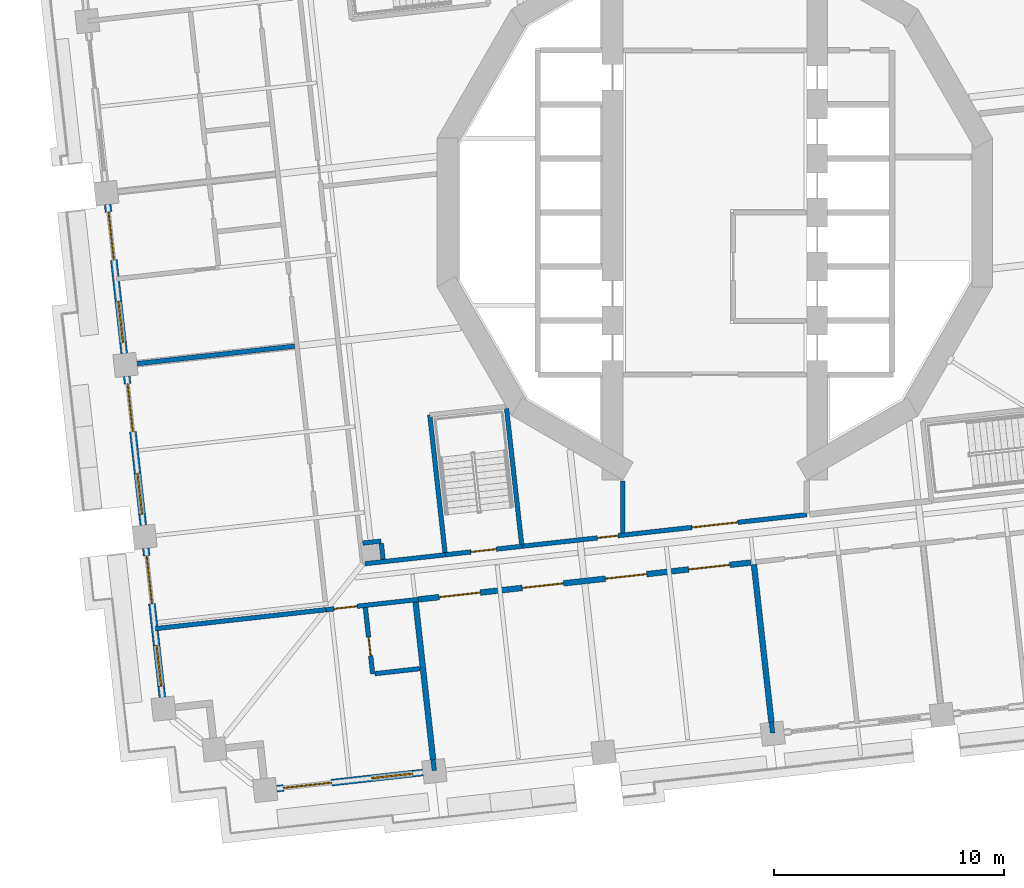
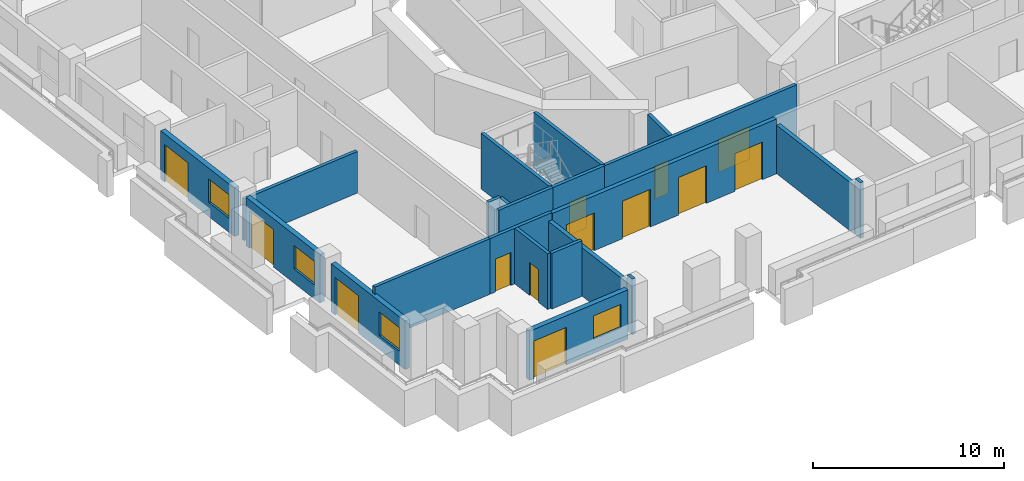
# One storey, part 4 of 18: 22 walls, 13 doors, 4 windows, 17 openings.
"""IFC4 building model written with IfcOpenShell, lengths in metres."""

from ifc_helpers import new_model, si_unit, direction, frame, frame_2d, origin, place, context, subcontext, project, spatial, rectangle, extrude, material, layer, layer_set, type_object, element, fill, save


model = new_model("IFC4")

# Units and contexts
model_context = context("Model", 3, precision=1e-05, world=origin(), true_north=direction((0.0, 1.0)))
body_context = subcontext(model_context, "Body", "Model", "MODEL_VIEW")
ifc_project = project(units=[si_unit("LENGTHUNIT", "METRE"), si_unit("AREAUNIT", "SQUARE_METRE"), si_unit("VOLUMEUNIT", "CUBIC_METRE"), si_unit("PLANEANGLEUNIT", "RADIAN"), si_unit("MASSUNIT", "GRAM", prefix="KILO")], contexts=[model_context])

# Site, building, storey
site_placement = place(None, origin())
site = spatial("IfcSite", under=ifc_project, at=site_placement, CompositionType="ELEMENT")
building_placement = place(site_placement, origin())
building = spatial("IfcBuilding", under=site, at=building_placement, Name="Cantera Rosa Tower", CompositionType="ELEMENT")
storey_placement = place(building_placement, frame((0.0, 0.0, 76.699951171875)))
storey = spatial("IfcBuildingStorey", under=building, at=storey_placement, Name="L16", CompositionType="ELEMENT", Elevation=76.699951171875)

# Wall, opening, door
ifc_material_1 = material(Name="Gypsum board partition")
ifc_layer_1 = layer(ifc_material_1, 0.199951171875)
ifc_layer_set_1 = layer_set([ifc_layer_1], Name="CORRIDOR WALL 200 H3550")
wall_type_1 = type_object("IfcWallType", Name="CORRIDOR WALL 200 H3550", PredefinedType="PARTITIONING", material=ifc_layer_set_1)
wall_1_placement = place(storey_placement, frame((-16.898193359375, -17.26953125, 0.0), z_axis=(0.0, 0.0, 1.0), x_axis=(0.993894825106, 0.110331666476, 0.0)))
wall_1 = element("IfcWall", 1, at=wall_1_placement, inside=storey, type_object=wall_type_1, Name="CORRIDOR WALL L16-014", PredefinedType="PARTITIONING", context=body_context, shape_type="SweptSolid", body=[
    extrude(rectangle(XDim=4.025146484375, YDim=0.199951171875, at=frame_2d((2.0126953125, 0.0))), origin(), (0.0, 0.0, 1.0), 3.550048828125),
])
opening_1_placement = place(wall_1_placement, frame((0.35009765625, 0.0, 0.0)))
opening_1 = element("IfcOpeningElement", 2, at=opening_1_placement, cuts=wall_1, Name="Opening L16-041", PredefinedType="OPENING", context=body_context, shape_type="SweptSolid", body=[
    extrude(rectangle(XDim=1.0, YDim=2.10009765625, at=frame_2d((0.5, 1.050048828125))), frame((0.0, 0.10986328125, 0.0), z_axis=(0.0, -1.0, 0.0), x_axis=(1.0, 0.0, 0.0)), (0.0, 0.0, 1.0), 0.219970703125),
])
ifc_material_2 = material(Name="Timber door leaf", Category="wood")
door_type_1 = type_object("IfcDoorType", Name="ENTRANCE DOOR 1000x2100", OperationType="NOTDEFINED", PredefinedType="DOOR", material=ifc_material_2)
door_1_placement = place(opening_1_placement, origin())
door_1 = element("IfcDoor", 3, at=door_1_placement, inside=storey, type_object=door_type_1, Name="DOOR L16-041", OperationType="NOTDEFINED", OverallHeight=2.10009765625, OverallWidth=1.0, PredefinedType="DOOR", context=body_context, shape_type="SweptSolid", body=[
    extrude(rectangle(XDim=1.0, YDim=2.10009765625, at=frame_2d((0.5, 1.050048828125))), frame((0.0, 0.02490234375, 0.0), z_axis=(0.0, -1.0, 0.0), x_axis=(1.0, 0.0, 0.0)), (0.0, 0.0, 1.0), 0.050048828125),
])
fill(opening_1, door_1)

# Wall
wall_2_placement = place(storey_placement, frame((-15.208251953125, -15.27099609375, 0.0), z_axis=(0.0, 0.0, 1.0), x_axis=(0.993893064489, 0.110347525396, 0.0)))
element("IfcWall", 4, at=wall_2_placement, inside=storey, type_object=wall_type_1, Name="CORRIDOR WALL L16-020", PredefinedType="PARTITIONING", context=body_context, shape_type="SweptSolid", body=[
    extrude(rectangle(XDim=3.509033203125, YDim=0.199951171875, at=frame_2d((1.75439453125, 0.0))), origin(), (0.0, 0.0, 1.0), 3.550048828125),
])

# Wall, openings, doors
wall_3_placement = place(storey_placement, frame((-8.391357421875, -14.51416015625, 0.0), z_axis=(0.0, 0.0, 1.0), x_axis=(0.993897577722, 0.110306867408, 0.0)))
wall_3 = element("IfcWall", 5, at=wall_3_placement, inside=storey, type_object=wall_type_1, Name="CORRIDOR WALL L16-036", PredefinedType="PARTITIONING", context=body_context, shape_type="SweptSolid", body=[
    extrude(rectangle(XDim=12.467529296875, YDim=0.199951171875, at=frame_2d((6.23388671875, 0.0))), origin(), (0.0, 0.0, 1.0), 3.550048828125),
])
opening_2_placement = place(wall_3_placement, frame((3.305419921875, 0.0, 0.0)))
opening_2 = element("IfcOpeningElement", 6, at=opening_2_placement, cuts=wall_3, Name="Opening L16-008", PredefinedType="OPENING", context=body_context, shape_type="SweptSolid", body=[
    extrude(rectangle(XDim=0.89990234375, YDim=2.10009765625, at=frame_2d((0.449951171875, 1.050048828125))), frame((0.0, 0.10986328125, 0.0), z_axis=(0.0, -1.0, 0.0), x_axis=(1.0, 0.0, 0.0)), (0.0, 0.0, 1.0), 0.219970703125),
])
opening_3_placement = place(wall_3_placement, frame((7.44287109375, 0.0, 0.0)))
opening_3 = element("IfcOpeningElement", 7, at=opening_3_placement, cuts=wall_3, Name="Opening L16-012", PredefinedType="OPENING", context=body_context, shape_type="SweptSolid", body=[
    extrude(rectangle(XDim=2.0, YDim=2.10009765625, at=frame_2d((1.0, 1.050048828125))), frame((0.0, 0.10986328125, 0.0), z_axis=(0.0, -1.0, 0.0), x_axis=(1.0, 0.0, 0.0)), (0.0, 0.0, 1.0), 0.219970703125),
])
ifc_material_3 = material(Name="Steel S355J2 (EN 10025-2)", Category="steel")
door_type_2 = type_object("IfcDoorType", Name="LOBBY SCREEN DOOR 2000x2100", OperationType="NOTDEFINED", PredefinedType="DOOR", material=ifc_material_3)
door_2_placement = place(opening_3_placement, origin())
door_2 = element("IfcDoor", 8, at=door_2_placement, inside=storey, type_object=door_type_2, Name="DOOR L16-012", OperationType="NOTDEFINED", OverallHeight=2.10009765625, OverallWidth=2.0, PredefinedType="DOOR", context=body_context, shape_type="SweptSolid", body=[
    extrude(rectangle(XDim=2.0, YDim=2.10009765625, at=frame_2d((1.0, 1.050048828125))), frame((0.0, 0.02490234375, 0.0), z_axis=(0.0, -1.0, 0.0), x_axis=(1.0, 0.0, 0.0)), (0.0, 0.0, 1.0), 0.050048828125),
])
fill(opening_3, door_2)
ifc_material_4 = material(Name="Timber door leaf", Category="wood")
door_type_3 = type_object("IfcDoorType", Name="SERVICE DOOR 900x2100", OperationType="NOTDEFINED", PredefinedType="DOOR", material=ifc_material_4)
door_3_placement = place(opening_2_placement, origin())
door_3 = element("IfcDoor", 9, at=door_3_placement, inside=storey, type_object=door_type_3, Name="DOOR L16-008", OperationType="NOTDEFINED", OverallHeight=2.10009765625, OverallWidth=0.89990234375, PredefinedType="DOOR", context=body_context, shape_type="SweptSolid", body=[
    extrude(rectangle(XDim=0.89990234375, YDim=2.10009765625, at=frame_2d((0.449951171875, 1.050048828125))), frame((0.0, 0.02490234375, 0.0), z_axis=(0.0, -1.0, 0.0), x_axis=(1.0, 0.0, 0.0)), (0.0, 0.0, 1.0), 0.050048828125),
])
fill(opening_2, door_3)

# Wall
wall_4_placement = place(storey_placement, frame((-4.0, -11.667236328125, 0.0), z_axis=(0.0, 0.0, 1.0), x_axis=(0.0, -1.0, 0.0)))
element("IfcWall", 10, at=wall_4_placement, inside=storey, type_object=wall_type_1, Name="CORRIDOR WALL L16-046", PredefinedType="PARTITIONING", context=body_context, shape_type="SweptSolid", body=[
    extrude(rectangle(XDim=2.259765625, YDim=0.199951171875, at=frame_2d((1.1298828125, 0.0))), origin(), (0.0, 0.0, 1.0), 3.550048828125),
])

# Wall, openings, window, door
ifc_material_5 = material(Name="Hollow clay masonry with cantera stone cladding", Category="masonry")
ifc_layer_2 = layer(ifc_material_5, 0.300048828125)
ifc_layer_set_2 = layer_set([ifc_layer_2], Name="EW-LOGGIA 300 H3090")
wall_type_2 = type_object("IfcWallType", Name="EW-LOGGIA 300 H3090", PredefinedType="SOLIDWALL", material=ifc_layer_set_2)
wall_5_placement = place(storey_placement, frame((-26.399658203125, 0.349853515625, 0.0), z_axis=(0.0, 0.0, 1.0), x_axis=(0.110312341265, -0.993896970196, 0.0)))
wall_5 = element("IfcWall", 11, at=wall_5_placement, inside=storey, type_object=wall_type_2, Name="EN-L16-W18", PredefinedType="SOLIDWALL", context=body_context, shape_type="SweptSolid", body=[
    extrude(rectangle(XDim=6.52001953125, YDim=0.300048828125, at=frame_2d((3.260009765625, 0.0))), origin(), (0.0, 0.0, 1.0), 3.090087890625),
])
opening_4_placement = place(wall_5_placement, frame((0.330078125, 0.0, 0.0)))
opening_4 = element("IfcOpeningElement", 12, at=opening_4_placement, cuts=wall_5, Name="Opening L16-TD27", PredefinedType="OPENING", context=body_context, shape_type="SweptSolid", body=[
    extrude(rectangle(XDim=2.10009765625, YDim=2.39990234375, at=frame_2d((1.050048828125, 1.199951171875))), frame((0.0, 0.159912109375, 0.0), z_axis=(0.0, -1.0, 0.0), x_axis=(1.0, 0.0, 0.0)), (0.0, 0.0, 1.0), 0.320068359375),
])
opening_5_placement = place(wall_5_placement, frame((4.239990234375, 0.0, 0.89990234375)))
opening_5 = element("IfcOpeningElement", 13, at=opening_5_placement, cuts=wall_5, Name="Opening L16-W28", PredefinedType="OPENING", context=body_context, shape_type="SweptSolid", body=[
    extrude(rectangle(XDim=1.800048828125, YDim=1.5, at=frame_2d((0.89990234375, 0.75))), frame((0.0, 0.159912109375, 0.0), z_axis=(0.0, -1.0, 0.0), x_axis=(1.0, 0.0, 0.0)), (0.0, 0.0, 1.0), 0.320068359375),
])
ifc_material_6 = material(Name="Aluminium frame with clear glass", Category="aluminium")
window_type = type_object("IfcWindowType", Name="Hotel room window 1800x1500", PartitioningType="DOUBLE_PANEL_VERTICAL", PredefinedType="WINDOW", material=ifc_material_6)
window_1_placement = place(opening_5_placement, origin())
window_1 = element("IfcWindow", 14, at=window_1_placement, inside=storey, type_object=window_type, Name="WINDOW L16-W28", OverallHeight=1.5, OverallWidth=1.800048828125, PartitioningType="SINGLE_PANEL", PredefinedType="WINDOW", context=body_context, shape_type="SweptSolid", body=[
    extrude(rectangle(XDim=1.800048828125, YDim=1.5, at=frame_2d((0.89990234375, 0.75))), frame((0.0, 0.030029296875, 0.0), z_axis=(0.0, -1.0, 0.0), x_axis=(1.0, 0.0, 0.0)), (0.0, 0.0, 1.0), 0.06005859375),
])
fill(opening_5, window_1)
ifc_material_7 = material(Name="Aluminium frame with clear glass", Category="aluminium")
door_type_4 = type_object("IfcDoorType", Name="TD-H 2100x2400", OperationType="NOTDEFINED", PredefinedType="DOOR", material=ifc_material_7)
door_4_placement = place(opening_4_placement, origin())
door_4 = element("IfcDoor", 15, at=door_4_placement, inside=storey, type_object=door_type_4, Name="LOGGIA DOOR L16-TD27", OperationType="SLIDING_TO_LEFT", OverallHeight=2.39990234375, OverallWidth=2.10009765625, PredefinedType="DOOR", context=body_context, shape_type="SweptSolid", body=[
    extrude(rectangle(XDim=2.10009765625, YDim=2.39990234375, at=frame_2d((1.050048828125, 1.199951171875))), frame((0.0, 0.02490234375, 0.0), z_axis=(0.0, -1.0, 0.0), x_axis=(1.0, 0.0, 0.0)), (0.0, 0.0, 1.0), 0.050048828125),
])
fill(opening_4, door_4)

wall_6_placement = place(storey_placement, frame((-25.570068359375, -7.124267578125, 0.0), z_axis=(0.0, 0.0, 1.0), x_axis=(0.110312341265, -0.993896970196, 0.0)))
wall_6 = element("IfcWall", 16, at=wall_6_placement, inside=storey, type_object=wall_type_2, Name="EN-L16-W19", PredefinedType="SOLIDWALL", context=body_context, shape_type="SweptSolid", body=[
    extrude(rectangle(XDim=6.52001953125, YDim=0.300048828125, at=frame_2d((3.260009765625, 0.0))), origin(), (0.0, 0.0, 1.0), 3.090087890625),
])
opening_6_placement = place(wall_6_placement, frame((0.330078125, 0.0, 0.0)))
opening_6 = element("IfcOpeningElement", 17, at=opening_6_placement, cuts=wall_6, Name="Opening L16-TD29", PredefinedType="OPENING", context=body_context, shape_type="SweptSolid", body=[
    extrude(rectangle(XDim=2.10009765625, YDim=2.39990234375, at=frame_2d((1.050048828125, 1.199951171875))), frame((0.0, 0.159912109375, 0.0), z_axis=(0.0, -1.0, 0.0), x_axis=(1.0, 0.0, 0.0)), (0.0, 0.0, 1.0), 0.320068359375),
])
opening_7_placement = place(wall_6_placement, frame((4.239990234375, 0.0, 0.89990234375)))
opening_7 = element("IfcOpeningElement", 18, at=opening_7_placement, cuts=wall_6, Name="Opening L16-W30", PredefinedType="OPENING", context=body_context, shape_type="SweptSolid", body=[
    extrude(rectangle(XDim=1.800048828125, YDim=1.5, at=frame_2d((0.89990234375, 0.75))), frame((0.0, 0.159912109375, 0.0), z_axis=(0.0, -1.0, 0.0), x_axis=(1.0, 0.0, 0.0)), (0.0, 0.0, 1.0), 0.320068359375),
])
window_2_placement = place(opening_7_placement, origin())
window_2 = element("IfcWindow", 19, at=window_2_placement, inside=storey, type_object=window_type, Name="WINDOW L16-W30", OverallHeight=1.5, OverallWidth=1.800048828125, PartitioningType="SINGLE_PANEL", PredefinedType="WINDOW", context=body_context, shape_type="SweptSolid", body=[
    extrude(rectangle(XDim=1.800048828125, YDim=1.5, at=frame_2d((0.89990234375, 0.75))), frame((0.0, 0.030029296875, 0.0), z_axis=(0.0, -1.0, 0.0), x_axis=(1.0, 0.0, 0.0)), (0.0, 0.0, 1.0), 0.06005859375),
])
fill(opening_7, window_2)
door_5_placement = place(opening_6_placement, origin())
door_5 = element("IfcDoor", 20, at=door_5_placement, inside=storey, type_object=door_type_4, Name="LOGGIA DOOR L16-TD29", OperationType="SLIDING_TO_LEFT", OverallHeight=2.39990234375, OverallWidth=2.10009765625, PredefinedType="DOOR", context=body_context, shape_type="SweptSolid", body=[
    extrude(rectangle(XDim=2.10009765625, YDim=2.39990234375, at=frame_2d((1.050048828125, 1.199951171875))), frame((0.0, 0.02490234375, 0.0), z_axis=(0.0, -1.0, 0.0), x_axis=(1.0, 0.0, 0.0)), (0.0, 0.0, 1.0), 0.050048828125),
])
fill(opening_6, door_5)

wall_7_placement = place(storey_placement, frame((-24.74072265625, -14.598388671875, 0.0), z_axis=(0.0, 0.0, 1.0), x_axis=(0.110312341265, -0.993896970196, 0.0)))
wall_7 = element("IfcWall", 21, at=wall_7_placement, inside=storey, type_object=wall_type_2, Name="EN-L16-W20", PredefinedType="SOLIDWALL", context=body_context, shape_type="SweptSolid", body=[
    extrude(rectangle(XDim=6.52001953125, YDim=0.300048828125, at=frame_2d((3.260009765625, 0.0))), origin(), (0.0, 0.0, 1.0), 3.090087890625),
])
opening_8_placement = place(wall_7_placement, frame((0.330078125, 0.0, 0.0)))
opening_8 = element("IfcOpeningElement", 22, at=opening_8_placement, cuts=wall_7, Name="Opening L16-TD31", PredefinedType="OPENING", context=body_context, shape_type="SweptSolid", body=[
    extrude(rectangle(XDim=2.10009765625, YDim=2.39990234375, at=frame_2d((1.050048828125, 1.199951171875))), frame((0.0, 0.159912109375, 0.0), z_axis=(0.0, -1.0, 0.0), x_axis=(1.0, 0.0, 0.0)), (0.0, 0.0, 1.0), 0.320068359375),
])
opening_9_placement = place(wall_7_placement, frame((4.239990234375, 0.0, 0.89990234375)))
opening_9 = element("IfcOpeningElement", 23, at=opening_9_placement, cuts=wall_7, Name="Opening L16-W32", PredefinedType="OPENING", context=body_context, shape_type="SweptSolid", body=[
    extrude(rectangle(XDim=1.800048828125, YDim=1.5, at=frame_2d((0.89990234375, 0.75))), frame((0.0, 0.159912109375, 0.0), z_axis=(0.0, -1.0, 0.0), x_axis=(1.0, 0.0, 0.0)), (0.0, 0.0, 1.0), 0.320068359375),
])
window_3_placement = place(opening_9_placement, origin())
window_3 = element("IfcWindow", 24, at=window_3_placement, inside=storey, type_object=window_type, Name="WINDOW L16-W32", OverallHeight=1.5, OverallWidth=1.800048828125, PartitioningType="SINGLE_PANEL", PredefinedType="WINDOW", context=body_context, shape_type="SweptSolid", body=[
    extrude(rectangle(XDim=1.800048828125, YDim=1.5, at=frame_2d((0.89990234375, 0.75))), frame((0.0, 0.030029296875, 0.0), z_axis=(0.0, -1.0, 0.0), x_axis=(1.0, 0.0, 0.0)), (0.0, 0.0, 1.0), 0.06005859375),
])
fill(opening_9, window_3)
door_6_placement = place(opening_8_placement, origin())
door_6 = element("IfcDoor", 25, at=door_6_placement, inside=storey, type_object=door_type_4, Name="LOGGIA DOOR L16-TD31", OperationType="SLIDING_TO_LEFT", OverallHeight=2.39990234375, OverallWidth=2.10009765625, PredefinedType="DOOR", context=body_context, shape_type="SweptSolid", body=[
    extrude(rectangle(XDim=2.10009765625, YDim=2.39990234375, at=frame_2d((1.050048828125, 1.199951171875))), frame((0.0, 0.02490234375, 0.0), z_axis=(0.0, -1.0, 0.0), x_axis=(1.0, 0.0, 0.0)), (0.0, 0.0, 1.0), 0.050048828125),
])
fill(opening_8, door_6)

ifc_material_8 = material(Name="Hollow clay masonry with cantera stone cladding", Category="masonry")
ifc_layer_3 = layer(ifc_material_8, 0.300048828125)
ifc_layer_set_3 = layer_set([ifc_layer_3], Name="EW-LOGGIA 300 H3140")
wall_type_3 = type_object("IfcWallType", Name="EW-LOGGIA 300 H3140", PredefinedType="SOLIDWALL", material=ifc_layer_set_3)
wall_8_placement = place(storey_placement, frame((-19.052490234375, -25.0546875, 0.0), z_axis=(0.0, 0.0, 1.0), x_axis=(0.993896288542, 0.110318482689, 0.0)))
wall_8 = element("IfcWall", 26, at=wall_8_placement, inside=storey, type_object=wall_type_3, Name="EN-L16-W23", PredefinedType="SOLIDWALL", context=body_context, shape_type="SweptSolid", body=[
    extrude(rectangle(XDim=6.400146484375, YDim=0.300048828125, at=frame_2d((3.2001953125, 0.0))), origin(), (0.0, 0.0, 1.0), 3.14013671875),
])
opening_10_placement = place(wall_8_placement, frame((0.300048828125, 0.0, 0.0)))
opening_10 = element("IfcOpeningElement", 27, at=opening_10_placement, cuts=wall_8, Name="Opening L16-TD33", PredefinedType="OPENING", context=body_context, shape_type="SweptSolid", body=[
    extrude(rectangle(XDim=2.10009765625, YDim=2.39990234375, at=frame_2d((1.050048828125, 1.199951171875))), frame((0.0, 0.159912109375, 0.0), z_axis=(0.0, -1.0, 0.0), x_axis=(1.0, 0.0, 0.0)), (0.0, 0.0, 1.0), 0.320068359375),
])
opening_11_placement = place(wall_8_placement, frame((4.14990234375, 0.0, 0.89990234375)))
opening_11 = element("IfcOpeningElement", 28, at=opening_11_placement, cuts=wall_8, Name="Opening L16-W34", PredefinedType="OPENING", context=body_context, shape_type="SweptSolid", body=[
    extrude(rectangle(XDim=1.800048828125, YDim=1.5, at=frame_2d((0.89990234375, 0.75))), frame((0.0, 0.159912109375, 0.0), z_axis=(0.0, -1.0, 0.0), x_axis=(1.0, 0.0, 0.0)), (0.0, 0.0, 1.0), 0.320068359375),
])
window_4_placement = place(opening_11_placement, origin())
window_4 = element("IfcWindow", 29, at=window_4_placement, inside=storey, type_object=window_type, Name="WINDOW L16-W34", OverallHeight=1.5, OverallWidth=1.800048828125, PartitioningType="SINGLE_PANEL", PredefinedType="WINDOW", context=body_context, shape_type="SweptSolid", body=[
    extrude(rectangle(XDim=1.800048828125, YDim=1.5, at=frame_2d((0.89990234375, 0.75))), frame((0.0, 0.030029296875, 0.0), z_axis=(0.0, -1.0, 0.0), x_axis=(1.0, 0.0, 0.0)), (0.0, 0.0, 1.0), 0.06005859375),
])
fill(opening_11, window_4)
door_7_placement = place(opening_10_placement, origin())
door_7 = element("IfcDoor", 30, at=door_7_placement, inside=storey, type_object=door_type_4, Name="LOGGIA DOOR L16-TD33", OperationType="SLIDING_TO_LEFT", OverallHeight=2.39990234375, OverallWidth=2.10009765625, PredefinedType="DOOR", context=body_context, shape_type="SweptSolid", body=[
    extrude(rectangle(XDim=2.10009765625, YDim=2.39990234375, at=frame_2d((1.050048828125, 1.199951171875))), frame((0.0, 0.02490234375, 0.0), z_axis=(0.0, -1.0, 0.0), x_axis=(1.0, 0.0, 0.0)), (0.0, 0.0, 1.0), 0.050048828125),
])
fill(opening_10, door_7)

# Walls
ifc_material_9 = material(Name="Concrete C40/50", Category="concrete")
ifc_layer_4 = layer(ifc_material_9, 0.25)
ifc_layer_set_4 = layer_set([ifc_layer_4], Name="EW-POCKET CHEEK 250 H3090")
wall_type_4 = type_object("IfcWallType", Name="EW-POCKET CHEEK 250 H3090", PredefinedType="SOLIDWALL", material=ifc_layer_set_4)
wall_9_placement = place(storey_placement, frame((-12.249755859375, -23.796630859375, 0.0), z_axis=(0.0, 0.0, 1.0), x_axis=(-0.11028783669, 0.993899689646, 0.0)))
element("IfcWall", 31, at=wall_9_placement, inside=storey, type_object=wall_type_4, Name="POCKET CHEEK A L16", PredefinedType="SOLIDWALL", context=body_context, shape_type="SweptSolid", body=[
    extrude(rectangle(XDim=6.89990234375, YDim=0.25, at=frame_2d((3.449951171875, 0.0))), origin(), (0.0, 0.0, 1.0), 3.090087890625),
])
wall_10_placement = place(storey_placement, frame((2.4599609375, -22.163818359375, 0.0), z_axis=(0.0, 0.0, 1.0), x_axis=(-0.110322788799, 0.993895810572, 0.0)))
element("IfcWall", 32, at=wall_10_placement, inside=storey, type_object=wall_type_4, Name="POCKET CHEEK B L16", PredefinedType="SOLIDWALL", context=body_context, shape_type="SweptSolid", body=[
    extrude(rectangle(XDim=6.900146484375, YDim=0.25, at=frame_2d((3.4501953125, 0.0))), origin(), (0.0, 0.0, 1.0), 3.090087890625),
])

# Wall, openings, doors
ifc_material_10 = material(Name="Hollow clay masonry with cantera stone cladding", Category="masonry")
ifc_layer_5 = layer(ifc_material_10, 0.25)
ifc_layer_set_5 = layer_set([ifc_layer_5], Name="EW-POCKET REAR 250")
wall_type_5 = type_object("IfcWallType", Name="EW-POCKET REAR 250", PredefinedType="SOLIDWALL", material=ifc_layer_set_5)
wall_11_placement = place(storey_placement, frame((-12.897705078125, -16.825439453125, 0.0), z_axis=(0.0, 0.0, 1.0), x_axis=(0.993897437056, 0.110308134844, 0.0)))
wall_11 = element("IfcWall", 33, at=wall_11_placement, inside=storey, type_object=wall_type_5, Name="POCKET REAR L16", PredefinedType="SOLIDWALL", context=body_context, shape_type="SweptSolid", body=[
    extrude(rectangle(XDim=14.550048828125, YDim=0.25, at=frame_2d((7.27490234375, 0.0))), origin(), (0.0, 0.0, 1.0), 3.5),
])
opening_12_placement = place(wall_11_placement, frame((0.918701171875, 0.0, 0.0)))
opening_12 = element("IfcOpeningElement", 34, at=opening_12_placement, cuts=wall_11, Name="Opening L16-LT01", PredefinedType="OPENING", context=body_context, shape_type="SweptSolid", body=[
    extrude(rectangle(XDim=1.800048828125, YDim=2.39990234375, at=frame_2d((0.89990234375, 1.199951171875))), frame((0.0, 0.135009765625, 0.0), z_axis=(0.0, -1.0, 0.0), x_axis=(1.0, 0.0, 0.0)), (0.0, 0.0, 1.0), 0.27001953125),
])
opening_13_placement = place(wall_11_placement, frame((4.55615234375, 0.0, 0.0)))
opening_13 = element("IfcOpeningElement", 35, at=opening_13_placement, cuts=wall_11, Name="Opening L16-LT02", PredefinedType="OPENING", context=body_context, shape_type="SweptSolid", body=[
    extrude(rectangle(XDim=1.800048828125, YDim=2.39990234375, at=frame_2d((0.89990234375, 1.199951171875))), frame((0.0, 0.135009765625, 0.0), z_axis=(0.0, -1.0, 0.0), x_axis=(1.0, 0.0, 0.0)), (0.0, 0.0, 1.0), 0.27001953125),
])
opening_14_placement = place(wall_11_placement, frame((8.19384765625, 0.0, 0.0)))
opening_14 = element("IfcOpeningElement", 36, at=opening_14_placement, cuts=wall_11, Name="Opening L16-LT03", PredefinedType="OPENING", context=body_context, shape_type="SweptSolid", body=[
    extrude(rectangle(XDim=1.800048828125, YDim=2.39990234375, at=frame_2d((0.89990234375, 1.199951171875))), frame((0.0, 0.135009765625, 0.0), z_axis=(0.0, -1.0, 0.0), x_axis=(1.0, 0.0, 0.0)), (0.0, 0.0, 1.0), 0.27001953125),
])
opening_15_placement = place(wall_11_placement, frame((11.831298828125, 0.0, 0.0)))
opening_15 = element("IfcOpeningElement", 37, at=opening_15_placement, cuts=wall_11, Name="Opening L16-LT04", PredefinedType="OPENING", context=body_context, shape_type="SweptSolid", body=[
    extrude(rectangle(XDim=1.800048828125, YDim=2.39990234375, at=frame_2d((0.89990234375, 1.199951171875))), frame((0.0, 0.135009765625, 0.0), z_axis=(0.0, -1.0, 0.0), x_axis=(1.0, 0.0, 0.0)), (0.0, 0.0, 1.0), 0.27001953125),
])
ifc_material_11 = material(Name="Aluminium frame with clear glass", Category="aluminium")
door_type_5 = type_object("IfcDoorType", Name="TD-T 1800x2400", OperationType="NOTDEFINED", PredefinedType="DOOR", material=ifc_material_11)
door_8_placement = place(opening_12_placement, origin())
door_8 = element("IfcDoor", 38, at=door_8_placement, inside=storey, type_object=door_type_5, Name="TERRACE DOOR L16-LT01", OperationType="DOUBLE_DOOR_SINGLE_SWING", OverallHeight=2.39990234375, OverallWidth=1.800048828125, PredefinedType="DOOR", context=body_context, shape_type="SweptSolid", body=[
    extrude(rectangle(XDim=1.800048828125, YDim=2.39990234375, at=frame_2d((0.89990234375, 1.199951171875))), frame((0.0, 0.02490234375, 0.0), z_axis=(0.0, -1.0, 0.0), x_axis=(1.0, 0.0, 0.0)), (0.0, 0.0, 1.0), 0.050048828125),
])
fill(opening_12, door_8)
door_9_placement = place(opening_13_placement, origin())
door_9 = element("IfcDoor", 39, at=door_9_placement, inside=storey, type_object=door_type_5, Name="TERRACE DOOR L16-LT02", OperationType="DOUBLE_DOOR_SINGLE_SWING", OverallHeight=2.39990234375, OverallWidth=1.800048828125, PredefinedType="DOOR", context=body_context, shape_type="SweptSolid", body=[
    extrude(rectangle(XDim=1.800048828125, YDim=2.39990234375, at=frame_2d((0.89990234375, 1.199951171875))), frame((0.0, 0.02490234375, 0.0), z_axis=(0.0, -1.0, 0.0), x_axis=(1.0, 0.0, 0.0)), (0.0, 0.0, 1.0), 0.050048828125),
])
fill(opening_13, door_9)
door_10_placement = place(opening_14_placement, origin())
door_10 = element("IfcDoor", 40, at=door_10_placement, inside=storey, type_object=door_type_5, Name="TERRACE DOOR L16-LT03", OperationType="DOUBLE_DOOR_SINGLE_SWING", OverallHeight=2.39990234375, OverallWidth=1.800048828125, PredefinedType="DOOR", context=body_context, shape_type="SweptSolid", body=[
    extrude(rectangle(XDim=1.800048828125, YDim=2.39990234375, at=frame_2d((0.89990234375, 1.199951171875))), frame((0.0, 0.02490234375, 0.0), z_axis=(0.0, -1.0, 0.0), x_axis=(1.0, 0.0, 0.0)), (0.0, 0.0, 1.0), 0.050048828125),
])
fill(opening_14, door_10)
door_11_placement = place(opening_15_placement, origin())
door_11 = element("IfcDoor", 41, at=door_11_placement, inside=storey, type_object=door_type_5, Name="TERRACE DOOR L16-LT04", OperationType="DOUBLE_DOOR_SINGLE_SWING", OverallHeight=2.39990234375, OverallWidth=1.800048828125, PredefinedType="DOOR", context=body_context, shape_type="SweptSolid", body=[
    extrude(rectangle(XDim=1.800048828125, YDim=2.39990234375, at=frame_2d((0.89990234375, 1.199951171875))), frame((0.0, 0.02490234375, 0.0), z_axis=(0.0, -1.0, 0.0), x_axis=(1.0, 0.0, 0.0)), (0.0, 0.0, 1.0), 0.050048828125),
])
fill(opening_15, door_11)

# Wall, opening, door
ifc_material_12 = material(Name="Gypsum board partition")
ifc_layer_6 = layer(ifc_material_12, 0.199951171875)
ifc_layer_set_6 = layer_set([ifc_layer_6], Name="PARTITION 200 H3550")
wall_type_6 = type_object("IfcWallType", Name="PARTITION 200 H3550", PredefinedType="PARTITIONING", material=ifc_layer_set_6)
wall_12_placement = place(storey_placement, frame((-14.87744140625, -20.063720703125, 0.0), z_axis=(0.0, 0.0, 1.0), x_axis=(-0.110366846939, 0.993890919114, 0.0)))
wall_12 = element("IfcWall", 42, at=wall_12_placement, inside=storey, type_object=wall_type_6, Name="PARTITION L16-021", PredefinedType="PARTITIONING", context=body_context, shape_type="SweptSolid", body=[
    extrude(rectangle(XDim=2.900146484375, YDim=0.199951171875, at=frame_2d((1.4501953125, 0.0))), origin(), (0.0, 0.0, 1.0), 3.550048828125),
])
opening_16_placement = place(wall_12_placement, frame((0.800048828125, 0.0, 0.0)))
opening_16 = element("IfcOpeningElement", 43, at=opening_16_placement, cuts=wall_12, Name="Opening L16-042", PredefinedType="OPENING", context=body_context, shape_type="SweptSolid", body=[
    extrude(rectangle(XDim=0.800048828125, YDim=2.10009765625, at=frame_2d((0.39990234375, 1.050048828125))), frame((0.0, 0.10986328125, 0.0), z_axis=(0.0, -1.0, 0.0), x_axis=(1.0, 0.0, 0.0)), (0.0, 0.0, 1.0), 0.219970703125),
])
ifc_material_13 = material(Name="Timber door leaf", Category="wood")
door_type_6 = type_object("IfcDoorType", Name="BATHROOM DOOR 800x2100", OperationType="NOTDEFINED", PredefinedType="DOOR", material=ifc_material_13)
door_12_placement = place(opening_16_placement, origin())
door_12 = element("IfcDoor", 44, at=door_12_placement, inside=storey, type_object=door_type_6, Name="DOOR L16-042", OperationType="NOTDEFINED", OverallHeight=2.10009765625, OverallWidth=0.800048828125, PredefinedType="DOOR", context=body_context, shape_type="SweptSolid", body=[
    extrude(rectangle(XDim=0.800048828125, YDim=2.10009765625, at=frame_2d((0.39990234375, 1.050048828125))), frame((0.0, 0.02490234375, 0.0), z_axis=(0.0, -1.0, 0.0), x_axis=(1.0, 0.0, 0.0)), (0.0, 0.0, 1.0), 0.050048828125),
])
fill(opening_16, door_12)

# Walls
wall_13_placement = place(storey_placement, frame((-14.512451171875, -14.2880859375, 0.0), z_axis=(0.0, 0.0, 1.0), x_axis=(-0.993880012744, -0.110465018303, 0.0)))
element("IfcWall", 45, at=wall_13_placement, inside=storey, type_object=wall_type_6, Name="PARTITION L16-023", PredefinedType="PARTITIONING", context=body_context, shape_type="SweptSolid", body=[
    extrude(rectangle(XDim=0.800048828125, YDim=0.199951171875, at=frame_2d((0.39990234375, 0.0))), origin(), (0.0, 0.0, 1.0), 3.550048828125),
])
wall_14_placement = place(storey_placement, frame((-14.42431640625, -15.083251953125, 0.0), z_axis=(0.0, 0.0, 1.0), x_axis=(-0.110201865026, 0.993909225707, 0.0)))
element("IfcWall", 46, at=wall_14_placement, inside=storey, type_object=wall_type_6, Name="PARTITION L16-024", PredefinedType="PARTITIONING", context=body_context, shape_type="SweptSolid", body=[
    extrude(rectangle(XDim=0.699951171875, YDim=0.199951171875, at=frame_2d((0.35009765625, 0.0))), origin(), (0.0, 0.0, 1.0), 3.550048828125),
])
wall_15_placement = place(storey_placement, frame((-12.8251953125, -19.835693359375, 0.0), z_axis=(0.0, 0.0, 1.0), x_axis=(-0.993894336995, -0.110336063414, 0.0)))
element("IfcWall", 47, at=wall_15_placement, inside=storey, type_object=wall_type_6, Name="PARTITION L16-028", PredefinedType="PARTITIONING", context=body_context, shape_type="SweptSolid", body=[
    extrude(rectangle(XDim=1.96484375, YDim=0.199951171875, at=frame_2d((0.982421875, 0.0))), origin(), (0.0, 0.0, 1.0), 3.550048828125),
])
wall_16_placement = place(storey_placement, frame((2.51171875, -22.631103515625, 0.0), z_axis=(0.0, 0.0, 1.0), x_axis=(-0.110089547864, 0.993921672694, 0.0)))
element("IfcWall", 48, at=wall_16_placement, inside=storey, type_object=wall_type_6, Name="PARTITION L16-054", PredefinedType="PARTITIONING", context=body_context, shape_type="SweptSolid", body=[
    extrude(rectangle(XDim=0.47021484375, YDim=0.199951171875, at=frame_2d((0.235107421875, 0.0))), origin(), (0.0, 0.0, 1.0), 3.550048828125),
])
ifc_material_14 = material(Name="Gypsum board partition")
ifc_layer_7 = layer(ifc_material_14, 0.199951171875)
ifc_layer_set_7 = layer_set([ifc_layer_7], Name="PARTY WALL 200 H2650")
wall_type_7 = type_object("IfcWallType", Name="PARTY WALL 200 H2650", PredefinedType="PARTITIONING", material=ifc_layer_set_7)
wall_17_placement = place(storey_placement, frame((-18.2705078125, -5.810791015625, 0.0), z_axis=(0.0, 0.0, 1.0), x_axis=(-0.993897058864, -0.11031154238, 0.0)))
element("IfcWall", 49, at=wall_17_placement, inside=storey, type_object=wall_type_7, Name="PARTY WALL L16-012", PredefinedType="PARTITIONING", context=body_context, shape_type="SweptSolid", body=[
    extrude(rectangle(XDim=7.369873046875, YDim=0.199951171875, at=frame_2d((3.68505859375, 0.0))), origin(), (0.0, 0.0, 1.0), 2.650146484375),
])
ifc_material_15 = material(Name="Gypsum board partition")
ifc_layer_8 = layer(ifc_material_15, 0.199951171875)
ifc_layer_set_8 = layer_set([ifc_layer_8], Name="PARTY WALL 200 H3550")
wall_type_8 = type_object("IfcWallType", Name="PARTY WALL 200 H3550", PredefinedType="PARTITIONING", material=ifc_layer_set_8)
wall_18_placement = place(storey_placement, frame((-24.322509765625, -18.093505859375, 0.0), z_axis=(0.0, 0.0, 1.0), x_axis=(0.993897676912, 0.110305973679, 0.0)))
element("IfcWall", 50, at=wall_18_placement, inside=storey, type_object=wall_type_8, Name="PARTY WALL L16-002", PredefinedType="PARTITIONING", context=body_context, shape_type="SweptSolid", body=[
    extrude(rectangle(XDim=7.469970703125, YDim=0.199951171875, at=frame_2d((3.73486328125, 0.0))), origin(), (0.0, 0.0, 1.0), 3.550048828125),
])
wall_19_placement = place(storey_placement, frame((-12.249755859375, -23.79638671875, 0.0), z_axis=(0.0, 0.0, 1.0), x_axis=(0.110089547864, -0.993921672694, 0.0)))
element("IfcWall", 51, at=wall_19_placement, inside=storey, type_object=wall_type_8, Name="PARTY WALL L16-027", PredefinedType="PARTITIONING", context=body_context, shape_type="SweptSolid", body=[
    extrude(rectangle(XDim=0.47021484375, YDim=0.199951171875, at=frame_2d((0.235107421875, 0.0))), origin(), (0.0, 0.0, 1.0), 3.550048828125),
])
ifc_material_16 = material(Name="Concrete C50/60", Category="concrete")
ifc_layer_9 = layer(ifc_material_16, 0.199951171875)
ifc_layer_set_9 = layer_set([ifc_layer_9], Name="STAIR WALL 200 H3550")
wall_type_9 = type_object("IfcWallType", Name="STAIR WALL 200 H3550", PredefinedType="SOLIDWALL", material=ifc_layer_set_9)
wall_20_placement = place(storey_placement, frame((-12.395751953125, -8.802978515625, 0.0), z_axis=(0.0, 0.0, 1.0), x_axis=(0.110335171461, -0.993894436014, 0.0)))
element("IfcWall", 52, at=wall_20_placement, inside=storey, type_object=wall_type_9, Name="STAIR WALL L16-029", PredefinedType="SOLIDWALL", context=body_context, shape_type="SweptSolid", body=[
    extrude(rectangle(XDim=6.1181640625, YDim=0.199951171875, at=frame_2d((3.05908203125, 0.0))), origin(), (0.0, 0.0, 1.0), 3.550048828125),
])

# Wall, opening, door
wall_21_placement = place(storey_placement, frame((-11.720703125, -14.8837890625, 0.0), z_axis=(0.0, 0.0, 1.0), x_axis=(0.993893507649, 0.110343533811, 0.0)))
wall_21 = element("IfcWall", 53, at=wall_21_placement, inside=storey, type_object=wall_type_9, Name="STAIR WALL L16-031", PredefinedType="SOLIDWALL", context=body_context, shape_type="SweptSolid", body=[
    extrude(rectangle(XDim=3.349853515625, YDim=0.199951171875, at=frame_2d((1.6748046875, 0.0))), origin(), (0.0, 0.0, 1.0), 3.550048828125),
])
opening_17_placement = place(wall_21_placement, frame((1.125, 0.0, 0.0)))
opening_17 = element("IfcOpeningElement", 54, at=opening_17_placement, cuts=wall_21, Name="Opening L16-003", PredefinedType="OPENING", context=body_context, shape_type="SweptSolid", body=[
    extrude(rectangle(XDim=1.10009765625, YDim=2.10009765625, at=frame_2d((0.550048828125, 1.050048828125))), frame((0.0, 0.10986328125, 0.0), z_axis=(0.0, -1.0, 0.0), x_axis=(1.0, 0.0, 0.0)), (0.0, 0.0, 1.0), 0.219970703125),
])
ifc_material_17 = material(Name="Steel S355J2 (EN 10025-2)", Category="steel")
door_type_7 = type_object("IfcDoorType", Name="STAIR DOOR 1100x2100", OperationType="NOTDEFINED", PredefinedType="DOOR", material=ifc_material_17)
door_13_placement = place(opening_17_placement, origin())
door_13 = element("IfcDoor", 55, at=door_13_placement, inside=storey, type_object=door_type_7, Name="DOOR L16-003", OperationType="NOTDEFINED", OverallHeight=2.10009765625, OverallWidth=1.10009765625, PredefinedType="DOOR", context=body_context, shape_type="SweptSolid", body=[
    extrude(rectangle(XDim=1.10009765625, YDim=2.10009765625, at=frame_2d((0.550048828125, 1.050048828125))), frame((0.0, 0.02490234375, 0.0), z_axis=(0.0, -1.0, 0.0), x_axis=(1.0, 0.0, 0.0)), (0.0, 0.0, 1.0), 0.050048828125),
])
fill(opening_17, door_13)

# Wall
wall_22_placement = place(storey_placement, frame((-8.391357421875, -14.51416015625, 0.0), z_axis=(0.0, 0.0, 1.0), x_axis=(-0.11031151838, 0.993897061527, 0.0)))
element("IfcWall", 56, at=wall_22_placement, inside=storey, type_object=wall_type_9, Name="STAIR WALL L16-035", PredefinedType="SOLIDWALL", context=body_context, shape_type="SweptSolid", body=[
    extrude(rectangle(XDim=6.02880859375, YDim=0.199951171875, at=frame_2d((3.014404296875, 0.0))), origin(), (0.0, 0.0, 1.0), 3.550048828125),
])

save(model, "model.ifc")
